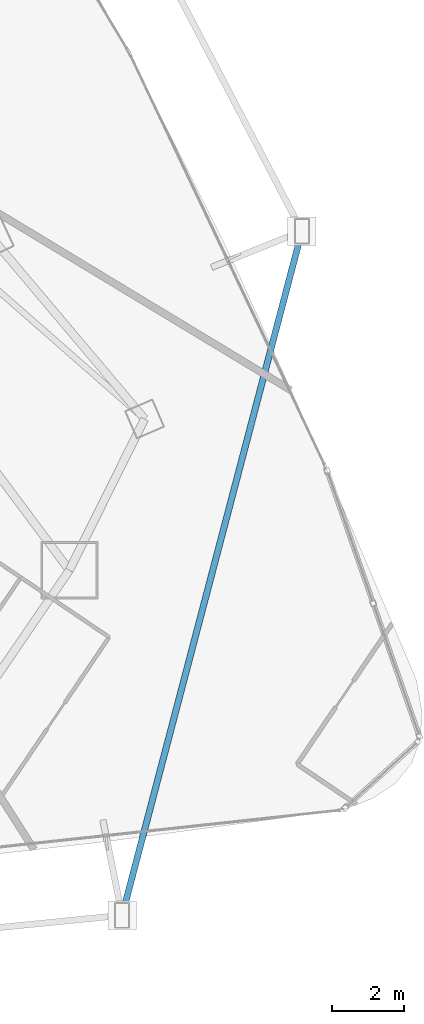
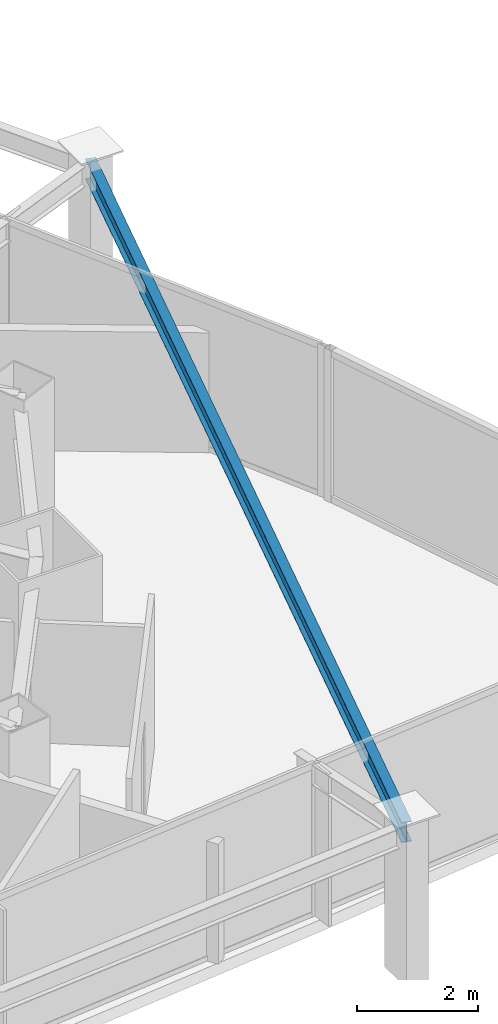
# One storey, part 17 of 38: 1 beam.
"""IFC4 building model written with IfcOpenShell, lengths in metres."""

from ifc_helpers import new_model, si_unit, direction, frame, origin, origin_2d, place, context, subcontext, project, spatial, i_section, extrude, material, material_profile, profile_set, type_object, element, save


model = new_model("IFC4")

# Units and contexts
model_context = context("Model", 3, precision=1e-05, world=origin(), true_north=direction((0.0, 1.0)))
body_context = subcontext(model_context, "Body", "Model", "MODEL_VIEW")
ifc_project = project(units=[si_unit("LENGTHUNIT", "METRE"), si_unit("AREAUNIT", "SQUARE_METRE"), si_unit("VOLUMEUNIT", "CUBIC_METRE"), si_unit("PLANEANGLEUNIT", "RADIAN"), si_unit("MASSUNIT", "GRAM", prefix="KILO")], contexts=[model_context])

# Site, building, storey
site_placement = place(None, origin())
site = spatial("IfcSite", under=ifc_project, at=site_placement, CompositionType="ELEMENT")
building_placement = place(site_placement, origin())
building = spatial("IfcBuilding", under=site, at=building_placement, Name="Orvanel Arch Residences", CompositionType="ELEMENT")
storey_placement = place(building_placement, frame((0.0, 0.0, 50.0)))
storey = spatial("IfcBuildingStorey", under=building, at=storey_placement, Name="L13", CompositionType="ELEMENT", Elevation=50.0)

# Beam
ifc_material = material(Name="Structural steel AS/NZS 3679.1 Grade 300 (300 MPa)", Category="steel")
ifc_material_profile = material_profile(ifc_material, i_section(OverallWidth=0.177978515625, OverallDepth=0.406005859375, WebThickness=0.0078125, FlangeThickness=0.0126953125, at=origin_2d()), Name="410UB59.7")
ifc_profile_set = profile_set([ifc_material_profile], Name="Structural steel AS/NZS 3679.1 Grade 300 (300 MPa)")
beam_type = type_object("IfcBeamType", Name="OB-410UB-EXT", PredefinedType="SPANDREL", material=ifc_profile_set)
beam_placement = place(storey_placement, frame((53.27587890625, 0.699951171875, 2.85693359375), z_axis=(0.254167617765, 0.967160184292, 0.0), x_axis=(-0.967160184292, 0.254167617765, 0.0)))
element("IfcBeam", 1, at=beam_placement, inside=storey, type_object=beam_type, Name="L13 Outer Perimeter Floor Ring Beam 08", PredefinedType="SPANDREL", context=body_context, shape_type="SweptSolid", body=[
    extrude(i_section(OverallWidth=0.177978515625, OverallDepth=0.406005859375, WebThickness=0.0078125, FlangeThickness=0.0126953125, at=origin_2d()), origin(), (0.0, 0.0, 1.0), 19.778564453125),
])

save(model, "model.ifc")
